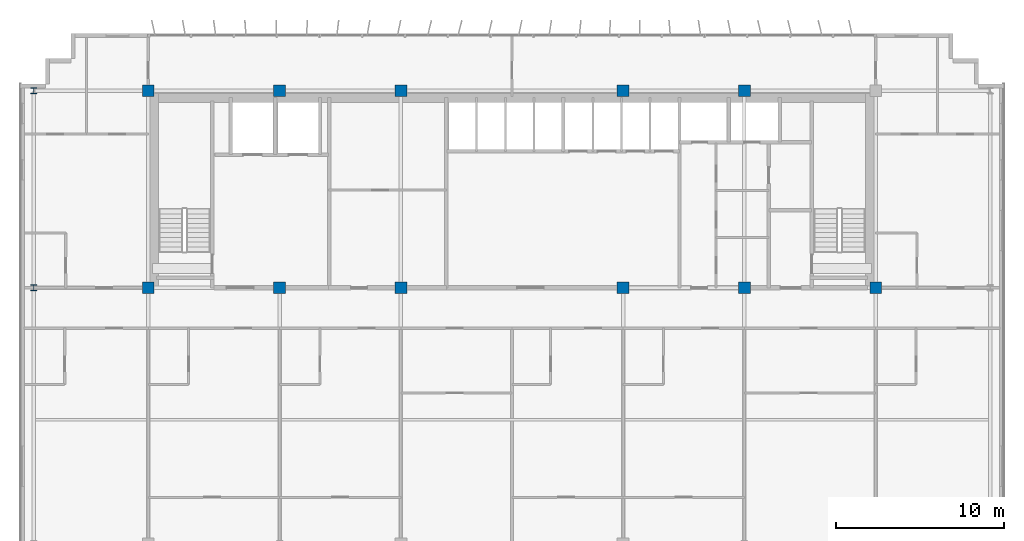
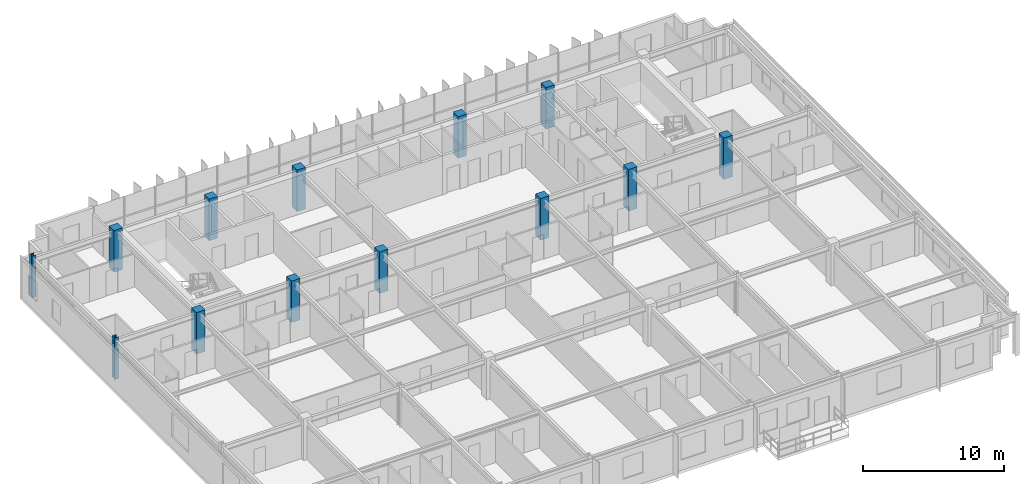
# One storey, part 3 of 23: 13 columns.
"""IFC4 building model written with IfcOpenShell, lengths in metres."""

from ifc_helpers import new_model, si_unit, direction, frame, origin, origin_2d, place, context, subcontext, project, spatial, rectangle, i_section, extrude, source, transform, mapped, material, material_profile, profile_set, type_object, element, save


model = new_model("IFC4")

# Units and contexts
model_context = context("Model", 3, precision=1e-05, world=origin(), true_north=direction((0.0, 1.0)))
body_context = subcontext(model_context, "Body", "Model", "MODEL_VIEW")
ifc_project = project(units=[si_unit("LENGTHUNIT", "METRE"), si_unit("AREAUNIT", "SQUARE_METRE"), si_unit("VOLUMEUNIT", "CUBIC_METRE"), si_unit("PLANEANGLEUNIT", "RADIAN"), si_unit("MASSUNIT", "GRAM", prefix="KILO")], contexts=[model_context])

# Site, building, storey
site_placement = place(None, origin())
site = spatial("IfcSite", under=ifc_project, at=site_placement, CompositionType="ELEMENT")
building_placement = place(site_placement, origin())
building = spatial("IfcBuilding", under=site, at=building_placement, Name="Trelvane Seafront Commons", CompositionType="ELEMENT")
storey_placement = place(building_placement, frame((0.0, 0.0, 219.300048828125)))
storey = spatial("IfcBuildingStorey", under=building, at=storey_placement, Name="L57", CompositionType="ELEMENT", Elevation=219.300048828125)

# Columns
ifc_material_1 = material(Name="Concrete C50/60", Category="concrete")
ifc_material_profile_1 = material_profile(ifc_material_1, rectangle(XDim=0.699951171875, YDim=0.699951171875, at=origin_2d()), Name="RC-700x700")
ifc_profile_set_1 = profile_set([ifc_material_profile_1], Name="Concrete C50/60")
column_type_1 = type_object("IfcColumnType", Name="STR-COL-RC700", PredefinedType="COLUMN", material=ifc_profile_set_1)
shared_shape_1 = source(origin(), body_context, "Body", "SweptSolid", [
    extrude(rectangle(XDim=0.699951171875, YDim=0.699951171875, at=origin_2d()), origin(), (0.0, 0.0, 1.0), 3.599853515625),
])
for number, where, z_axis, x_axis, name in (
    (1, (15.60009765625, 33.39990234375, 0.0), (0.0, 0.0, 1.0), (1.0, 0.0, 0.0), "L57 Column TC-CS15.6"),
    (2, (15.60009765625, 45.10009765625, 0.0), (0.0, 0.0, 1.0), (1.0, 0.0, 0.0), "L57 Column TC-CN15.6"),
    (3, (23.39990234375, 33.39990234375, 0.0), (0.0, 0.0, 1.0), (1.0, 0.0, 0.0), "L57 Column TC-CS23.4"),
    (4, (23.39990234375, 45.10009765625, 0.0), (0.0, 0.0, 1.0), (1.0, 0.0, 0.0), "L57 Column TC-CN23.4"),
    (5, (30.60009765625, 33.39990234375, 0.0), (0.0, 0.0, 1.0), (1.0, 0.0, 0.0), "L57 Column TC-CS30.6"),
    (6, (30.60009765625, 45.10009765625, 0.0), (0.0, 0.0, 1.0), (1.0, 0.0, 0.0), "L57 Column TC-CN30.6"),
    (7, (43.800048828125, 33.39990234375, 0.0), (0.0, 0.0, 1.0), (1.0, 0.0, 0.0), "L57 Column TC-CS43.8"),
    (8, (43.800048828125, 45.10009765625, 0.0), (0.0, 0.0, 1.0), (1.0, 0.0, 0.0), "L57 Column TC-CN43.8"),
    (9, (51.0, 33.39990234375, 0.0), (0.0, 0.0, 1.0), (1.0, 0.0, 0.0), "L57 Column TC-CS51.0"),
    (10, (51.0, 45.10009765625, 0.0), (0.0, 0.0, 1.0), (1.0, 0.0, 0.0), "L57 Column TC-CN51.0"),
    (11, (58.800048828125, 33.39990234375, 0.0), (0.0, 0.0, 1.0), (1.0, 0.0, 0.0), "L57 Column TC-CS58.8"),
):
    element("IfcColumn", number, at=place(storey_placement, frame(where, z_axis=z_axis, x_axis=x_axis)), inside=storey, type_object=column_type_1, Name=name, PredefinedType="COLUMN", context=body_context, shape_type="MappedRepresentation", body=[
        mapped(shared_shape_1, transform((0.0, 0.0, 0.0), x_axis=(1.0, 0.0, 0.0), y_axis=(0.0, 1.0, 0.0), z_axis=(0.0, 0.0, 1.0), scale=1.0)),
    ])
ifc_material_2 = material(Name="Steel SM355 (S355)", Category="steel")
ifc_material_profile_2 = material_profile(ifc_material_2, i_section(OverallWidth=0.35009765625, OverallDepth=0.35009765625, WebThickness=0.01806640625, FlangeThickness=0.028076171875, at=origin_2d()), Name="HD-350x350x18x28")
ifc_profile_set_2 = profile_set([ifc_material_profile_2], Name="Steel SM355 (S355)")
column_type_2 = type_object("IfcColumnType", Name="STR-COL-HD350", PredefinedType="COLUMN", material=ifc_profile_set_2)
shared_shape_2 = source(origin(), body_context, "Body", "SweptSolid", [
    extrude(i_section(OverallWidth=0.35009765625, OverallDepth=0.35009765625, WebThickness=0.01806640625, FlangeThickness=0.028076171875, at=origin_2d()), origin(), (0.0, 0.0, 1.0), 3.599853515625),
])
for number, where, z_axis, x_axis, name in (
    (12, (8.800048828125, 33.39990234375, 0.0), (0.0, 0.0, 1.0), (1.0, 0.0, 0.0), "L57 Column TC-CS8.8"),
    (13, (8.800048828125, 45.10009765625, 0.0), (0.0, 0.0, 1.0), (1.0, 0.0, 0.0), "L57 Column TC-CN8.8"),
):
    element("IfcColumn", number, at=place(storey_placement, frame(where, z_axis=z_axis, x_axis=x_axis)), inside=storey, type_object=column_type_2, Name=name, PredefinedType="COLUMN", context=body_context, shape_type="MappedRepresentation", body=[
        mapped(shared_shape_2, transform((0.0, 0.0, 0.0), x_axis=(1.0, 0.0, 0.0), y_axis=(0.0, 1.0, 0.0), z_axis=(0.0, 0.0, 1.0), scale=1.0)),
    ])

save(model, "model.ifc")
